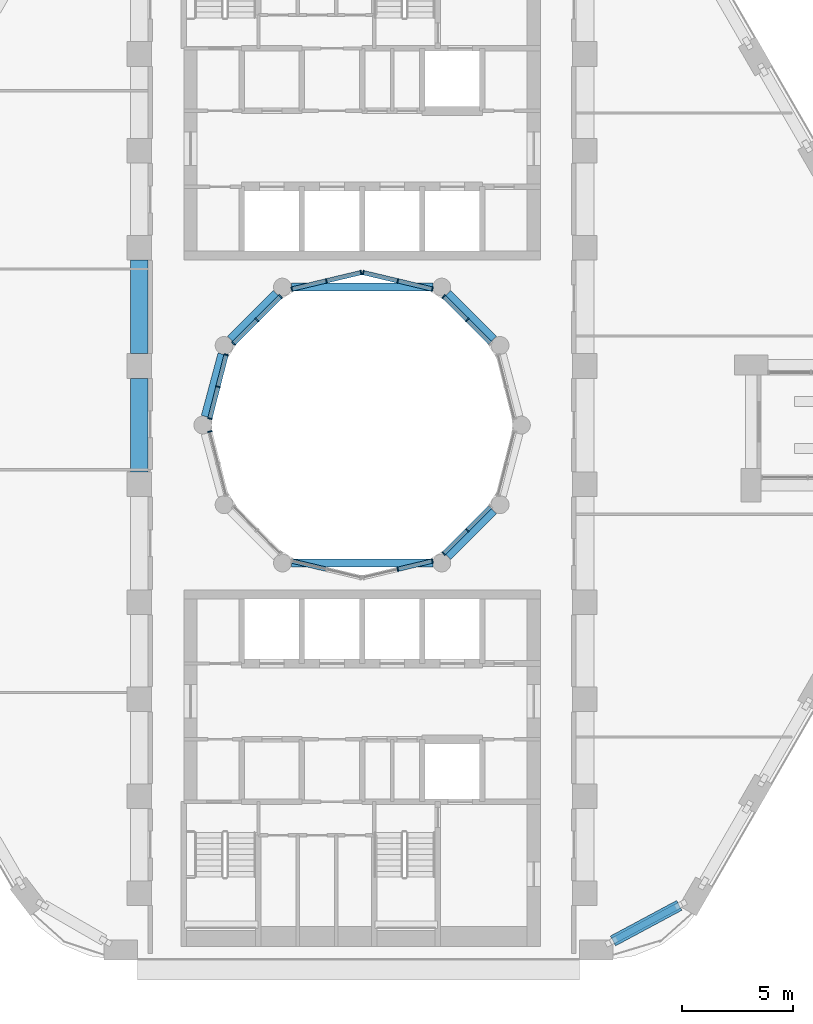
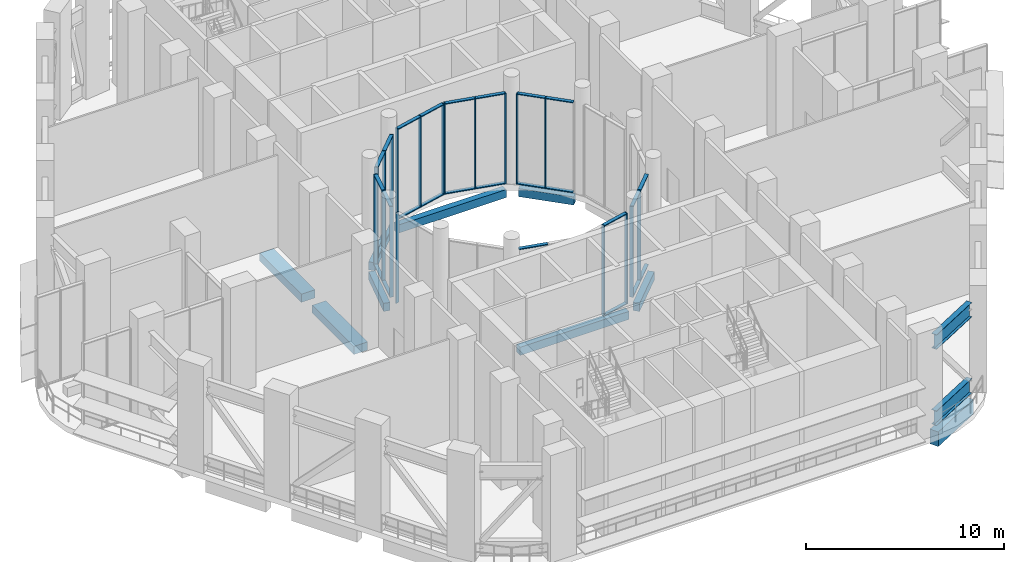
# One storey, part 3 of 20: 48 members, 9 beams, 9 elements without a shape of their own.
"""IFC4 building model written with IfcOpenShell, lengths in metres."""

from ifc_helpers import new_model, si_unit, direction, frame, origin, origin_2d, place, context, subcontext, project, spatial, rectangle, i_section, extrude, material, layer, layer_set, material_profile, profile_set, type_object, element, aggregate, save


model = new_model("IFC4")

# Units and contexts
model_context = context("Model", 3, precision=1e-05, world=origin(), true_north=direction((0.0, 1.0)))
body_context = subcontext(model_context, "Body", "Model", "MODEL_VIEW")
ifc_project = project(units=[si_unit("LENGTHUNIT", "METRE"), si_unit("AREAUNIT", "SQUARE_METRE"), si_unit("VOLUMEUNIT", "CUBIC_METRE"), si_unit("PLANEANGLEUNIT", "RADIAN"), si_unit("MASSUNIT", "GRAM", prefix="KILO")], contexts=[model_context])

# Site, building, storey
site_placement = place(None, origin())
site = spatial("IfcSite", under=ifc_project, at=site_placement, CompositionType="ELEMENT")
building_placement = place(site_placement, origin())
building = spatial("IfcBuilding", under=site, at=building_placement, Name="Nakaniwa Court", CompositionType="ELEMENT")
storey_placement = place(building_placement, frame((0.0, 0.0, 71.10009765625)))
storey = spatial("IfcBuildingStorey", under=building, at=storey_placement, Name="S1", CompositionType="ELEMENT", Elevation=71.10009765625)

# Curtain wall, members
ifc_material_1 = material(Name="Black anodised aluminium frame with dark low-E laminated double glazing", Category="aluminium")
ifc_layer = layer(ifc_material_1, 0.199951171875)
ifc_layer_set = layer_set([ifc_layer], Name="Black anodised aluminium frame with dark low-E laminated double glazing")
curtain_wall_type = type_object("IfcCurtainWallType", Name="Amenity and sky level curtain wall", PredefinedType="NOTDEFINED", material=ifc_layer_set)
curtain_wall_1_placement = place(storey_placement, origin())
curtain_wall_1 = element("IfcCurtainWall", 1, at=curtain_wall_1_placement, inside=storey, type_object=curtain_wall_type, Name="S1 curtain wall CW3 37", PredefinedType="NOTDEFINED")
ifc_material_2 = material(Name="Black anodised aluminium extrusion", Category="aluminium")
ifc_material_profile_1 = material_profile(ifc_material_2, rectangle(XDim=0.199951171875, YDim=0.054931640625, at=origin_2d()), Name="Amenity and sky level curtain wall mullion 55x200")
ifc_profile_set_1 = profile_set([ifc_material_profile_1], Name="Black anodised aluminium extrusion")
member_type_1 = type_object("IfcMemberType", Name="Amenity and sky level curtain wall mullion 55x200", PredefinedType="MULLION", material=ifc_profile_set_1)
member_1_placement = place(storey_placement, frame((84.715576171875, 75.284423828125, 0.0), z_axis=(0.0, 0.0, 1.0), x_axis=(0.707106781187, -0.707106781187, 0.0)))
member_1 = element("IfcMember", 2, at=member_1_placement, type_object=member_type_1, Name="CW3 mullion 2", PredefinedType="MULLION", context=body_context, shape_type="SweptSolid", body=[
    extrude(rectangle(XDim=0.199951171875, YDim=0.054931640625, at=origin_2d()), origin(), (0.0, 0.0, 1.0), 5.58984375),
])
member_2_placement = place(storey_placement, frame((83.66259765625, 74.2314453125, 0.0), z_axis=(0.0, 0.0, 1.0), x_axis=(0.707106781187, -0.707106781187, 0.0)))
member_2 = element("IfcMember", 3, at=member_2_placement, type_object=member_type_1, Name="CW3 mullion 3", PredefinedType="MULLION", context=body_context, shape_type="SweptSolid", body=[
    extrude(rectangle(XDim=0.199951171875, YDim=0.054931640625, at=origin_2d()), origin(), (0.0, 0.0, 1.0), 5.58984375),
])

curtain_wall_2_placement = place(storey_placement, origin())
curtain_wall_2 = element("IfcCurtainWall", 4, at=curtain_wall_2_placement, inside=storey, type_object=curtain_wall_type, Name="S1 curtain wall CW3 38", PredefinedType="NOTDEFINED")
member_3_placement = place(storey_placement, frame((83.153564453125, 73.898681640625, 0.0), z_axis=(0.0, 0.0, 1.0), x_axis=(0.231791306712, -0.972765537081, 0.0)))
member_3 = element("IfcMember", 5, at=member_3_placement, type_object=member_type_1, Name="CW3 mullion 1", PredefinedType="MULLION", context=body_context, shape_type="SweptSolid", body=[
    extrude(rectangle(XDim=0.199951171875, YDim=0.054931640625, at=origin_2d()), origin(), (0.0, 0.0, 1.0), 5.58984375),
])
member_4_placement = place(storey_placement, frame((81.601806640625, 73.52880859375, 0.0), z_axis=(0.0, 0.0, 1.0), x_axis=(0.231791306712, -0.972765537081, 0.0)))
member_4 = element("IfcMember", 6, at=member_4_placement, type_object=member_type_1, Name="CW3 mullion 2", PredefinedType="MULLION", context=body_context, shape_type="SweptSolid", body=[
    extrude(rectangle(XDim=0.199951171875, YDim=0.054931640625, at=origin_2d()), origin(), (0.0, 0.0, 1.0), 5.58984375),
])

# Curtain wall, member
curtain_wall_3_placement = place(storey_placement, origin())
curtain_wall_3 = element("IfcCurtainWall", 7, at=curtain_wall_3_placement, inside=storey, type_object=curtain_wall_type, Name="S1 curtain wall CW3 41", PredefinedType="NOTDEFINED")
member_5_placement = place(storey_placement, frame((73.170654296875, 79.70947265625, 0.0), z_axis=(0.0, 0.0, 1.0), x_axis=(-0.968986463302, -0.247113807661, 0.0)))
member_5 = element("IfcMember", 8, at=member_5_placement, type_object=member_type_1, Name="CW3 mullion 3", PredefinedType="MULLION", context=body_context, shape_type="SweptSolid", body=[
    extrude(rectangle(XDim=0.199951171875, YDim=0.054931640625, at=origin_2d()), origin(), (0.0, 0.0, 1.0), 5.58984375),
])
aggregate(curtain_wall_3, [member_5])

# Curtain wall, members
curtain_wall_4_placement = place(storey_placement, origin())
curtain_wall_4 = element("IfcCurtainWall", 9, at=curtain_wall_4_placement, inside=storey, type_object=curtain_wall_type, Name="S1 curtain wall CW3 42", PredefinedType="NOTDEFINED")
member_6_placement = place(storey_placement, frame((73.170654296875, 80.29052734375, 0.0), z_axis=(0.0, 0.0, 1.0), x_axis=(-0.968986463302, 0.247113807661, 0.0)))
member_6 = element("IfcMember", 10, at=member_6_placement, type_object=member_type_1, Name="CW3 mullion 1", PredefinedType="MULLION", context=body_context, shape_type="SweptSolid", body=[
    extrude(rectangle(XDim=0.199951171875, YDim=0.054931640625, at=origin_2d()), origin(), (0.0, 0.0, 1.0), 5.58984375),
])
member_7_placement = place(storey_placement, frame((73.53564453125, 81.72216796875, 0.0), z_axis=(0.0, 0.0, 1.0), x_axis=(-0.968986463302, 0.247113807661, 0.0)))
member_7 = element("IfcMember", 11, at=member_7_placement, type_object=member_type_1, Name="CW3 mullion 2", PredefinedType="MULLION", context=body_context, shape_type="SweptSolid", body=[
    extrude(rectangle(XDim=0.199951171875, YDim=0.054931640625, at=origin_2d()), origin(), (0.0, 0.0, 1.0), 5.58984375),
])
member_8_placement = place(storey_placement, frame((73.90087890625, 83.15380859375, 0.0), z_axis=(0.0, 0.0, 1.0), x_axis=(-0.968986463302, 0.247113807661, 0.0)))
member_8 = element("IfcMember", 12, at=member_8_placement, type_object=member_type_1, Name="CW3 mullion 3", PredefinedType="MULLION", context=body_context, shape_type="SweptSolid", body=[
    extrude(rectangle(XDim=0.199951171875, YDim=0.054931640625, at=origin_2d()), origin(), (0.0, 0.0, 1.0), 5.58984375),
])

curtain_wall_5_placement = place(storey_placement, origin())
curtain_wall_5 = element("IfcCurtainWall", 13, at=curtain_wall_5_placement, inside=storey, type_object=curtain_wall_type, Name="S1 curtain wall CW3 43", PredefinedType="NOTDEFINED")
member_9_placement = place(storey_placement, frame((74.2314453125, 83.66259765625, 0.0), z_axis=(0.0, 0.0, 1.0), x_axis=(-0.707106781187, 0.707106781187, 0.0)))
member_9 = element("IfcMember", 14, at=member_9_placement, type_object=member_type_1, Name="CW3 mullion 1", PredefinedType="MULLION", context=body_context, shape_type="SweptSolid", body=[
    extrude(rectangle(XDim=0.199951171875, YDim=0.054931640625, at=origin_2d()), origin(), (0.0, 0.0, 1.0), 5.58984375),
])
member_10_placement = place(storey_placement, frame((75.284423828125, 84.715576171875, 0.0), z_axis=(0.0, 0.0, 1.0), x_axis=(-0.707106781187, 0.707106781187, 0.0)))
member_10 = element("IfcMember", 15, at=member_10_placement, type_object=member_type_1, Name="CW3 mullion 2", PredefinedType="MULLION", context=body_context, shape_type="SweptSolid", body=[
    extrude(rectangle(XDim=0.199951171875, YDim=0.054931640625, at=origin_2d()), origin(), (0.0, 0.0, 1.0), 5.58984375),
])
member_11_placement = place(storey_placement, frame((76.33740234375, 85.7685546875, 0.0), z_axis=(0.0, 0.0, 1.0), x_axis=(-0.707106781187, 0.707106781187, 0.0)))
member_11 = element("IfcMember", 16, at=member_11_placement, type_object=member_type_1, Name="CW3 mullion 3", PredefinedType="MULLION", context=body_context, shape_type="SweptSolid", body=[
    extrude(rectangle(XDim=0.199951171875, YDim=0.054931640625, at=origin_2d()), origin(), (0.0, 0.0, 1.0), 5.58984375),
])

curtain_wall_6_placement = place(storey_placement, origin())
curtain_wall_6 = element("IfcCurtainWall", 17, at=curtain_wall_6_placement, inside=storey, type_object=curtain_wall_type, Name="S1 curtain wall CW3 44", PredefinedType="NOTDEFINED")
member_12_placement = place(storey_placement, frame((76.846435546875, 86.101318359375, 0.0), z_axis=(0.0, 0.0, 1.0), x_axis=(-0.231791306712, 0.972765537081, 0.0)))
member_12 = element("IfcMember", 18, at=member_12_placement, type_object=member_type_1, Name="CW3 mullion 1", PredefinedType="MULLION", context=body_context, shape_type="SweptSolid", body=[
    extrude(rectangle(XDim=0.199951171875, YDim=0.054931640625, at=origin_2d()), origin(), (0.0, 0.0, 1.0), 5.58984375),
])
member_13_placement = place(storey_placement, frame((78.398193359375, 86.47119140625, 0.0), z_axis=(0.0, 0.0, 1.0), x_axis=(-0.231791306712, 0.972765537081, 0.0)))
member_13 = element("IfcMember", 19, at=member_13_placement, type_object=member_type_1, Name="CW3 mullion 2", PredefinedType="MULLION", context=body_context, shape_type="SweptSolid", body=[
    extrude(rectangle(XDim=0.199951171875, YDim=0.054931640625, at=origin_2d()), origin(), (0.0, 0.0, 1.0), 5.58984375),
])
member_14_placement = place(storey_placement, frame((79.949951171875, 86.8408203125, 0.0), z_axis=(0.0, 0.0, 1.0), x_axis=(-0.231791306712, 0.972765537081, 0.0)))
member_14 = element("IfcMember", 20, at=member_14_placement, type_object=member_type_1, Name="CW3 mullion 3", PredefinedType="MULLION", context=body_context, shape_type="SweptSolid", body=[
    extrude(rectangle(XDim=0.199951171875, YDim=0.054931640625, at=origin_2d()), origin(), (0.0, 0.0, 1.0), 5.58984375),
])

curtain_wall_7_placement = place(storey_placement, origin())
curtain_wall_7 = element("IfcCurtainWall", 21, at=curtain_wall_7_placement, inside=storey, type_object=curtain_wall_type, Name="S1 curtain wall CW3 45", PredefinedType="NOTDEFINED")
member_15_placement = place(storey_placement, frame((80.050048828125, 86.8408203125, 0.0), z_axis=(0.0, 0.0, 1.0), x_axis=(0.231791306712, 0.972765537081, 0.0)))
member_15 = element("IfcMember", 22, at=member_15_placement, type_object=member_type_1, Name="CW3 mullion 1", PredefinedType="MULLION", context=body_context, shape_type="SweptSolid", body=[
    extrude(rectangle(XDim=0.199951171875, YDim=0.054931640625, at=origin_2d()), origin(), (0.0, 0.0, 1.0), 5.58984375),
])
member_16_placement = place(storey_placement, frame((81.601806640625, 86.47119140625, 0.0), z_axis=(0.0, 0.0, 1.0), x_axis=(0.231791306712, 0.972765537081, 0.0)))
member_16 = element("IfcMember", 23, at=member_16_placement, type_object=member_type_1, Name="CW3 mullion 2", PredefinedType="MULLION", context=body_context, shape_type="SweptSolid", body=[
    extrude(rectangle(XDim=0.199951171875, YDim=0.054931640625, at=origin_2d()), origin(), (0.0, 0.0, 1.0), 5.58984375),
])
member_17_placement = place(storey_placement, frame((83.153564453125, 86.101318359375, 0.0), z_axis=(0.0, 0.0, 1.0), x_axis=(0.231791306712, 0.972765537081, 0.0)))
member_17 = element("IfcMember", 24, at=member_17_placement, type_object=member_type_1, Name="CW3 mullion 3", PredefinedType="MULLION", context=body_context, shape_type="SweptSolid", body=[
    extrude(rectangle(XDim=0.199951171875, YDim=0.054931640625, at=origin_2d()), origin(), (0.0, 0.0, 1.0), 5.58984375),
])

curtain_wall_8_placement = place(storey_placement, origin())
curtain_wall_8 = element("IfcCurtainWall", 25, at=curtain_wall_8_placement, inside=storey, type_object=curtain_wall_type, Name="S1 curtain wall CW3 46", PredefinedType="NOTDEFINED")
member_18_placement = place(storey_placement, frame((83.66259765625, 85.7685546875, 0.0), z_axis=(0.0, 0.0, 1.0), x_axis=(0.707106781187, 0.707106781187, 0.0)))
member_18 = element("IfcMember", 26, at=member_18_placement, type_object=member_type_1, Name="CW3 mullion 1", PredefinedType="MULLION", context=body_context, shape_type="SweptSolid", body=[
    extrude(rectangle(XDim=0.199951171875, YDim=0.054931640625, at=origin_2d()), origin(), (0.0, 0.0, 1.0), 5.58984375),
])
member_19_placement = place(storey_placement, frame((84.715576171875, 84.715576171875, 0.0), z_axis=(0.0, 0.0, 1.0), x_axis=(0.707106781187, 0.707106781187, 0.0)))
member_19 = element("IfcMember", 27, at=member_19_placement, type_object=member_type_1, Name="CW3 mullion 2", PredefinedType="MULLION", context=body_context, shape_type="SweptSolid", body=[
    extrude(rectangle(XDim=0.199951171875, YDim=0.054931640625, at=origin_2d()), origin(), (0.0, 0.0, 1.0), 5.58984375),
])

# Member
ifc_material_profile_2 = material_profile(ifc_material_2, rectangle(XDim=0.199951171875, YDim=0.054931640625, at=origin_2d()), Name="Amenity and sky level curtain wall transom 55x200")
ifc_profile_set_2 = profile_set([ifc_material_profile_2], Name="Black anodised aluminium extrusion")
member_type_2 = type_object("IfcMemberType", Name="Amenity and sky level curtain wall transom 55x200", PredefinedType="USERDEFINED", material=ifc_profile_set_2)
member_20_placement = place(storey_placement, frame((85.7490234375, 76.31787109375, 0.02734375), z_axis=(-0.707106781187, -0.707106781187, 0.0), x_axis=(0.707106781187, -0.707106781187, 0.0)))
member_20 = element("IfcMember", 28, at=member_20_placement, type_object=member_type_2, Name="CW3 transom 1.1", ObjectType="TRANSOM", PredefinedType="USERDEFINED", context=body_context, shape_type="SweptSolid", body=[
    extrude(rectangle(XDim=0.199951171875, YDim=0.054931640625, at=origin_2d()), origin(), (0.0, 0.0, 1.0), 1.433837890625),
])

member_21_placement = place(storey_placement, frame((85.7490234375, 76.31787109375, 5.5625), z_axis=(-0.707106781187, -0.707106781187, 0.0), x_axis=(0.707106781187, -0.707106781187, 0.0)))
member_21 = element("IfcMember", 29, at=member_21_placement, type_object=member_type_2, Name="CW3 transom 1.2", ObjectType="TRANSOM", PredefinedType="USERDEFINED", context=body_context, shape_type="SweptSolid", body=[
    extrude(rectangle(XDim=0.199951171875, YDim=0.054931640625, at=origin_2d()), origin(), (0.0, 0.0, 1.0), 1.433837890625),
])

member_22_placement = place(storey_placement, frame((84.696044921875, 75.264892578125, 0.02734375), z_axis=(-0.707106781187, -0.707106781187, 0.0), x_axis=(0.707106781187, -0.707106781187, 0.0)))
member_22 = element("IfcMember", 30, at=member_22_placement, type_object=member_type_2, Name="CW3 transom 2.1", ObjectType="TRANSOM", PredefinedType="USERDEFINED", context=body_context, shape_type="SweptSolid", body=[
    extrude(rectangle(XDim=0.199951171875, YDim=0.054931640625, at=origin_2d()), origin(), (0.0, 0.0, 1.0), 1.433837890625),
])

member_23_placement = place(storey_placement, frame((84.696044921875, 75.264892578125, 5.5625), z_axis=(-0.707106781187, -0.707106781187, 0.0), x_axis=(0.707106781187, -0.707106781187, 0.0)))
member_23 = element("IfcMember", 31, at=member_23_placement, type_object=member_type_2, Name="CW3 transom 2.2", ObjectType="TRANSOM", PredefinedType="USERDEFINED", context=body_context, shape_type="SweptSolid", body=[
    extrude(rectangle(XDim=0.199951171875, YDim=0.054931640625, at=origin_2d()), origin(), (0.0, 0.0, 1.0), 1.433837890625),
])

aggregate(curtain_wall_1, [member_1, member_2, member_20, member_21, member_22, member_23])

member_24_placement = place(storey_placement, frame((83.126953125, 73.892333984375, 0.02734375), z_axis=(-0.972741550558, -0.231891948585, 0.0), x_axis=(0.231891948585, -0.972741550558, 0.0)))
member_24 = element("IfcMember", 32, at=member_24_placement, type_object=member_type_2, Name="CW3 transom 1.1", ObjectType="TRANSOM", PredefinedType="USERDEFINED", context=body_context, shape_type="SweptSolid", body=[
    extrude(rectangle(XDim=0.199951171875, YDim=0.054931640625, at=origin_2d()), origin(), (0.0, 0.0, 1.0), 1.540283203125),
])

member_25_placement = place(storey_placement, frame((83.126953125, 73.892333984375, 5.5625), z_axis=(-0.972741550558, -0.231891948585, 0.0), x_axis=(0.231891948585, -0.972741550558, 0.0)))
member_25 = element("IfcMember", 33, at=member_25_placement, type_object=member_type_2, Name="CW3 transom 1.2", ObjectType="TRANSOM", PredefinedType="USERDEFINED", context=body_context, shape_type="SweptSolid", body=[
    extrude(rectangle(XDim=0.199951171875, YDim=0.054931640625, at=origin_2d()), origin(), (0.0, 0.0, 1.0), 1.540283203125),
])

aggregate(curtain_wall_2, [member_3, member_4, member_24, member_25])

# Curtain wall, member
curtain_wall_9_placement = place(storey_placement, origin())
curtain_wall_9 = element("IfcCurtainWall", 34, at=curtain_wall_9_placement, inside=storey, type_object=curtain_wall_type, Name="S1 curtain wall CW3 39", PredefinedType="NOTDEFINED")
member_26_placement = place(storey_placement, frame((78.371337890625, 73.53515625, 5.5625), z_axis=(-0.972741550558, 0.231891948585, 0.0), x_axis=(-0.231891948585, -0.972741550558, 0.0)))
member_26 = element("IfcMember", 35, at=member_26_placement, type_object=member_type_2, Name="CW3 transom 2.2", ObjectType="TRANSOM", PredefinedType="USERDEFINED", context=body_context, shape_type="SweptSolid", body=[
    extrude(rectangle(XDim=0.199951171875, YDim=0.054931640625, at=origin_2d()), origin(), (0.0, 0.0, 1.0), 1.540283203125),
])
aggregate(curtain_wall_9, [member_26])

# Member
member_27_placement = place(storey_placement, frame((73.177490234375, 80.317138671875, 0.02734375), z_axis=(0.24697526524, 0.969021784255, 0.0), x_axis=(-0.969021784255, 0.24697526524, 0.0)))
member_27 = element("IfcMember", 36, at=member_27_placement, type_object=member_type_2, Name="CW3 transom 1.1", ObjectType="TRANSOM", PredefinedType="USERDEFINED", context=body_context, shape_type="SweptSolid", body=[
    extrude(rectangle(XDim=0.199951171875, YDim=0.054931640625, at=origin_2d()), origin(), (0.0, 0.0, 1.0), 1.42236328125),
])

member_28_placement = place(storey_placement, frame((73.177490234375, 80.317138671875, 5.5625), z_axis=(0.24697526524, 0.969021784255, 0.0), x_axis=(-0.969021784255, 0.24697526524, 0.0)))
member_28 = element("IfcMember", 37, at=member_28_placement, type_object=member_type_2, Name="CW3 transom 1.2", ObjectType="TRANSOM", PredefinedType="USERDEFINED", context=body_context, shape_type="SweptSolid", body=[
    extrude(rectangle(XDim=0.199951171875, YDim=0.054931640625, at=origin_2d()), origin(), (0.0, 0.0, 1.0), 1.42236328125),
])

member_29_placement = place(storey_placement, frame((73.54248046875, 81.748779296875, 0.02734375), z_axis=(0.247136415914, 0.968980697398, 0.0), x_axis=(-0.968980697398, 0.247136415914, 0.0)))
member_29 = element("IfcMember", 38, at=member_29_placement, type_object=member_type_2, Name="CW3 transom 2.1", ObjectType="TRANSOM", PredefinedType="USERDEFINED", context=body_context, shape_type="SweptSolid", body=[
    extrude(rectangle(XDim=0.199951171875, YDim=0.054931640625, at=origin_2d()), origin(), (0.0, 0.0, 1.0), 1.422607421875),
])

member_30_placement = place(storey_placement, frame((73.54248046875, 81.748779296875, 5.5625), z_axis=(0.247136415914, 0.968980697398, 0.0), x_axis=(-0.968980697398, 0.247136415914, 0.0)))
member_30 = element("IfcMember", 39, at=member_30_placement, type_object=member_type_2, Name="CW3 transom 2.2", ObjectType="TRANSOM", PredefinedType="USERDEFINED", context=body_context, shape_type="SweptSolid", body=[
    extrude(rectangle(XDim=0.199951171875, YDim=0.054931640625, at=origin_2d()), origin(), (0.0, 0.0, 1.0), 1.422607421875),
])

aggregate(curtain_wall_4, [member_6, member_7, member_8, member_27, member_28, member_29, member_30])

member_31_placement = place(storey_placement, frame((74.2509765625, 83.68212890625, 0.02734375), z_axis=(0.707106781187, 0.707106781187, 0.0), x_axis=(-0.707106781187, 0.707106781187, 0.0)))
member_31 = element("IfcMember", 40, at=member_31_placement, type_object=member_type_2, Name="CW3 transom 1.1", ObjectType="TRANSOM", PredefinedType="USERDEFINED", context=body_context, shape_type="SweptSolid", body=[
    extrude(rectangle(XDim=0.199951171875, YDim=0.054931640625, at=origin_2d()), origin(), (0.0, 0.0, 1.0), 1.433837890625),
])

member_32_placement = place(storey_placement, frame((74.2509765625, 83.68212890625, 5.5625), z_axis=(0.707106781187, 0.707106781187, 0.0), x_axis=(-0.707106781187, 0.707106781187, 0.0)))
member_32 = element("IfcMember", 41, at=member_32_placement, type_object=member_type_2, Name="CW3 transom 1.2", ObjectType="TRANSOM", PredefinedType="USERDEFINED", context=body_context, shape_type="SweptSolid", body=[
    extrude(rectangle(XDim=0.199951171875, YDim=0.054931640625, at=origin_2d()), origin(), (0.0, 0.0, 1.0), 1.433837890625),
])

member_33_placement = place(storey_placement, frame((75.303955078125, 84.735107421875, 0.02734375), z_axis=(0.707106781187, 0.707106781187, 0.0), x_axis=(-0.707106781187, 0.707106781187, 0.0)))
member_33 = element("IfcMember", 42, at=member_33_placement, type_object=member_type_2, Name="CW3 transom 2.1", ObjectType="TRANSOM", PredefinedType="USERDEFINED", context=body_context, shape_type="SweptSolid", body=[
    extrude(rectangle(XDim=0.199951171875, YDim=0.054931640625, at=origin_2d()), origin(), (0.0, 0.0, 1.0), 1.433837890625),
])

member_34_placement = place(storey_placement, frame((75.303955078125, 84.735107421875, 5.5625), z_axis=(0.707106781187, 0.707106781187, 0.0), x_axis=(-0.707106781187, 0.707106781187, 0.0)))
member_34 = element("IfcMember", 43, at=member_34_placement, type_object=member_type_2, Name="CW3 transom 2.2", ObjectType="TRANSOM", PredefinedType="USERDEFINED", context=body_context, shape_type="SweptSolid", body=[
    extrude(rectangle(XDim=0.199951171875, YDim=0.054931640625, at=origin_2d()), origin(), (0.0, 0.0, 1.0), 1.433837890625),
])

aggregate(curtain_wall_5, [member_9, member_10, member_11, member_31, member_32, member_33, member_34])

member_35_placement = place(storey_placement, frame((76.873046875, 86.107666015625, 0.02734375), z_axis=(0.972741550558, 0.231891948585, 0.0), x_axis=(-0.231891948585, 0.972741550558, 0.0)))
member_35 = element("IfcMember", 44, at=member_35_placement, type_object=member_type_2, Name="CW3 transom 1.1", ObjectType="TRANSOM", PredefinedType="USERDEFINED", context=body_context, shape_type="SweptSolid", body=[
    extrude(rectangle(XDim=0.199951171875, YDim=0.054931640625, at=origin_2d()), origin(), (0.0, 0.0, 1.0), 1.540283203125),
])

member_36_placement = place(storey_placement, frame((76.873046875, 86.107666015625, 5.5625), z_axis=(0.972741550558, 0.231891948585, 0.0), x_axis=(-0.231891948585, 0.972741550558, 0.0)))
member_36 = element("IfcMember", 45, at=member_36_placement, type_object=member_type_2, Name="CW3 transom 1.2", ObjectType="TRANSOM", PredefinedType="USERDEFINED", context=body_context, shape_type="SweptSolid", body=[
    extrude(rectangle(XDim=0.199951171875, YDim=0.054931640625, at=origin_2d()), origin(), (0.0, 0.0, 1.0), 1.540283203125),
])

member_37_placement = place(storey_placement, frame((78.425048828125, 86.4775390625, 0.02734375), z_axis=(0.972777294296, 0.231741959306, 0.0), x_axis=(-0.231741959306, 0.972777294296, 0.0)))
member_37 = element("IfcMember", 46, at=member_37_placement, type_object=member_type_2, Name="CW3 transom 2.1", ObjectType="TRANSOM", PredefinedType="USERDEFINED", context=body_context, shape_type="SweptSolid", body=[
    extrude(rectangle(XDim=0.199951171875, YDim=0.054931640625, at=origin_2d()), origin(), (0.0, 0.0, 1.0), 1.540283203125),
])

member_38_placement = place(storey_placement, frame((78.425048828125, 86.4775390625, 5.5625), z_axis=(0.972777294296, 0.231741959306, 0.0), x_axis=(-0.231741959306, 0.972777294296, 0.0)))
member_38 = element("IfcMember", 47, at=member_38_placement, type_object=member_type_2, Name="CW3 transom 2.2", ObjectType="TRANSOM", PredefinedType="USERDEFINED", context=body_context, shape_type="SweptSolid", body=[
    extrude(rectangle(XDim=0.199951171875, YDim=0.054931640625, at=origin_2d()), origin(), (0.0, 0.0, 1.0), 1.540283203125),
])

aggregate(curtain_wall_6, [member_12, member_13, member_14, member_35, member_36, member_37, member_38])

member_39_placement = place(storey_placement, frame((80.07666015625, 86.83447265625, 0.02734375), z_axis=(0.972777294296, -0.231741959306, 0.0), x_axis=(0.231741959306, 0.972777294296, 0.0)))
member_39 = element("IfcMember", 48, at=member_39_placement, type_object=member_type_2, Name="CW3 transom 1.1", ObjectType="TRANSOM", PredefinedType="USERDEFINED", context=body_context, shape_type="SweptSolid", body=[
    extrude(rectangle(XDim=0.199951171875, YDim=0.054931640625, at=origin_2d()), origin(), (0.0, 0.0, 1.0), 1.540283203125),
])

member_40_placement = place(storey_placement, frame((80.07666015625, 86.83447265625, 5.5625), z_axis=(0.972777294296, -0.231741959306, 0.0), x_axis=(0.231741959306, 0.972777294296, 0.0)))
member_40 = element("IfcMember", 49, at=member_40_placement, type_object=member_type_2, Name="CW3 transom 1.2", ObjectType="TRANSOM", PredefinedType="USERDEFINED", context=body_context, shape_type="SweptSolid", body=[
    extrude(rectangle(XDim=0.199951171875, YDim=0.054931640625, at=origin_2d()), origin(), (0.0, 0.0, 1.0), 1.540283203125),
])

member_41_placement = place(storey_placement, frame((81.628662109375, 86.46484375, 0.02734375), z_axis=(0.972741550558, -0.231891948585, 0.0), x_axis=(0.231891948585, 0.972741550558, 0.0)))
member_41 = element("IfcMember", 50, at=member_41_placement, type_object=member_type_2, Name="CW3 transom 2.1", ObjectType="TRANSOM", PredefinedType="USERDEFINED", context=body_context, shape_type="SweptSolid", body=[
    extrude(rectangle(XDim=0.199951171875, YDim=0.054931640625, at=origin_2d()), origin(), (0.0, 0.0, 1.0), 1.540283203125),
])

member_42_placement = place(storey_placement, frame((81.628662109375, 86.46484375, 5.5625), z_axis=(0.972741550558, -0.231891948585, 0.0), x_axis=(0.231891948585, 0.972741550558, 0.0)))
member_42 = element("IfcMember", 51, at=member_42_placement, type_object=member_type_2, Name="CW3 transom 2.2", ObjectType="TRANSOM", PredefinedType="USERDEFINED", context=body_context, shape_type="SweptSolid", body=[
    extrude(rectangle(XDim=0.199951171875, YDim=0.054931640625, at=origin_2d()), origin(), (0.0, 0.0, 1.0), 1.540283203125),
])

aggregate(curtain_wall_7, [member_15, member_16, member_17, member_39, member_40, member_41, member_42])

member_43_placement = place(storey_placement, frame((83.68212890625, 85.7490234375, 0.02734375), z_axis=(0.707106781187, -0.707106781187, 0.0), x_axis=(0.707106781187, 0.707106781187, 0.0)))
member_43 = element("IfcMember", 52, at=member_43_placement, type_object=member_type_2, Name="CW3 transom 1.1", ObjectType="TRANSOM", PredefinedType="USERDEFINED", context=body_context, shape_type="SweptSolid", body=[
    extrude(rectangle(XDim=0.199951171875, YDim=0.054931640625, at=origin_2d()), origin(), (0.0, 0.0, 1.0), 1.433837890625),
])

member_44_placement = place(storey_placement, frame((83.68212890625, 85.7490234375, 5.5625), z_axis=(0.707106781187, -0.707106781187, 0.0), x_axis=(0.707106781187, 0.707106781187, 0.0)))
member_44 = element("IfcMember", 53, at=member_44_placement, type_object=member_type_2, Name="CW3 transom 1.2", ObjectType="TRANSOM", PredefinedType="USERDEFINED", context=body_context, shape_type="SweptSolid", body=[
    extrude(rectangle(XDim=0.199951171875, YDim=0.054931640625, at=origin_2d()), origin(), (0.0, 0.0, 1.0), 1.433837890625),
])

member_45_placement = place(storey_placement, frame((84.735107421875, 84.696044921875, 0.02734375), z_axis=(0.707106781187, -0.707106781187, 0.0), x_axis=(0.707106781187, 0.707106781187, 0.0)))
member_45 = element("IfcMember", 54, at=member_45_placement, type_object=member_type_2, Name="CW3 transom 2.1", ObjectType="TRANSOM", PredefinedType="USERDEFINED", context=body_context, shape_type="SweptSolid", body=[
    extrude(rectangle(XDim=0.199951171875, YDim=0.054931640625, at=origin_2d()), origin(), (0.0, 0.0, 1.0), 1.433837890625),
])

member_46_placement = place(storey_placement, frame((84.735107421875, 84.696044921875, 5.5625), z_axis=(0.707106781187, -0.707106781187, 0.0), x_axis=(0.707106781187, 0.707106781187, 0.0)))
member_46 = element("IfcMember", 55, at=member_46_placement, type_object=member_type_2, Name="CW3 transom 2.2", ObjectType="TRANSOM", PredefinedType="USERDEFINED", context=body_context, shape_type="SweptSolid", body=[
    extrude(rectangle(XDim=0.199951171875, YDim=0.054931640625, at=origin_2d()), origin(), (0.0, 0.0, 1.0), 1.433837890625),
])

aggregate(curtain_wall_8, [member_18, member_19, member_43, member_44, member_45, member_46])

# Members
ifc_material_3 = material(Name="Steel Grade 350", Category="steel")
ifc_material_profile_3 = material_profile(ifc_material_3, i_section(OverallWidth=0.300048828125, OverallDepth=0.89990234375, WebThickness=0.011962890625, FlangeThickness=0.02001953125, at=origin_2d()), Name="900WB175")
ifc_profile_set_3 = profile_set([ifc_material_profile_3], Name="Steel Grade 350")
member_type_3 = type_object("IfcMemberType", Name="BELT chord 900 WB175", PredefinedType="CHORD", material=ifc_profile_set_3)
for number, where, z_axis, x_axis, name in (
    (56, (91.257080078125, 56.852294921875, 0.449951171875), (0.881234537383, 0.472679267711, 0.0), (-0.472679267711, 0.881234537383, 0.0), "BELT CHORD BT-12-B"),
    (57, (91.257080078125, 56.852294921875, 5.139892578125), (0.881234537383, 0.472679267711, 0.0), (-0.472679267711, 0.881234537383, 0.0), "BELT CHORD BT-12-T"),
):
    element("IfcMember", number, at=place(storey_placement, frame(where, z_axis=z_axis, x_axis=x_axis)), inside=storey, type_object=member_type_3, Name=name, PredefinedType="CHORD", context=body_context, shape_type="SweptSolid", body=[
        extrude(i_section(OverallWidth=0.300048828125, OverallDepth=0.89990234375, WebThickness=0.011962890625, FlangeThickness=0.02001953125, at=origin_2d()), origin(), (0.0, 0.0, 1.0), 3.373291015625),
    ])

# Beams
ifc_material_4 = material(Name="Concrete C80/100", Category="concrete")
ifc_material_profile_4 = material_profile(ifc_material_4, rectangle(XDim=0.35009765625, YDim=0.5, at=origin_2d()), Name="Concrete C80/100 RC 350x500 ring beam")
ifc_profile_set_4 = profile_set([ifc_material_profile_4], Name="Concrete C80/100")
beam_type_1 = type_object("IfcBeamType", Name="Concrete C80/100 RC 350x500 ring beam", PredefinedType="BEAM", material=ifc_profile_set_4)
beam_1_placement = place(storey_placement, frame((85.9091796875, 83.85791015625, -0.60009765625), z_axis=(-0.707106781187, 0.707106781187, 0.0), x_axis=(-0.707106781187, -0.707106781187, 0.0)))
element("IfcBeam", 58, at=beam_1_placement, inside=storey, type_object=beam_type_1, Name="RING BEAM", PredefinedType="BEAM", context=body_context, shape_type="SweptSolid", body=[
    extrude(rectangle(XDim=0.35009765625, YDim=0.5, at=origin_2d()), origin(), (0.0, 0.0, 1.0), 2.90087890625),
])
beam_2_placement = place(storey_placement, frame((83.175048828125, 86.192138671875, -0.60009765625), z_axis=(-1.0, 0.0, 0.0), x_axis=(0.0, -1.0, 0.0)))
element("IfcBeam", 59, at=beam_2_placement, inside=storey, type_object=beam_type_1, Name="RING BEAM", PredefinedType="BEAM", context=body_context, shape_type="SweptSolid", body=[
    extrude(rectangle(XDim=0.35009765625, YDim=0.5, at=origin_2d()), origin(), (0.0, 0.0, 1.0), 6.35009765625),
])
beam_3_placement = place(storey_placement, frame((76.14208984375, 85.9091796875, -0.60009765625), z_axis=(-0.707106781187, -0.707106781187, 0.0), x_axis=(0.707106781187, -0.707106781187, 0.0)))
element("IfcBeam", 60, at=beam_3_placement, inside=storey, type_object=beam_type_1, Name="RING BEAM", PredefinedType="BEAM", context=body_context, shape_type="SweptSolid", body=[
    extrude(rectangle(XDim=0.35009765625, YDim=0.5, at=origin_2d()), origin(), (0.0, 0.0, 1.0), 2.90087890625),
])
beam_4_placement = place(storey_placement, frame((73.704345703125, 83.188720703125, -0.60009765625), z_axis=(-0.258778150207, -0.965936783115, 0.0), x_axis=(0.965936783115, -0.258778150207, 0.0)))
element("IfcBeam", 61, at=beam_4_placement, inside=storey, type_object=beam_type_1, Name="RING BEAM", PredefinedType="BEAM", context=body_context, shape_type="SweptSolid", body=[
    extrude(rectangle(XDim=0.35009765625, YDim=0.5, at=origin_2d()), origin(), (0.0, 0.0, 1.0), 2.901123046875),
])
beam_5_placement = place(storey_placement, frame((76.824951171875, 73.807861328125, -0.60009765625), z_axis=(1.0, 0.0, 0.0), x_axis=(0.0, 1.0, 0.0)))
element("IfcBeam", 62, at=beam_5_placement, inside=storey, type_object=beam_type_1, Name="RING BEAM", PredefinedType="BEAM", context=body_context, shape_type="SweptSolid", body=[
    extrude(rectangle(XDim=0.35009765625, YDim=0.5, at=origin_2d()), origin(), (0.0, 0.0, 1.0), 6.35009765625),
])
beam_6_placement = place(storey_placement, frame((83.85791015625, 74.0908203125, -0.60009765625), z_axis=(0.707106781187, 0.707106781187, 0.0), x_axis=(-0.707106781187, 0.707106781187, 0.0)))
element("IfcBeam", 63, at=beam_6_placement, inside=storey, type_object=beam_type_1, Name="RING BEAM", PredefinedType="BEAM", context=body_context, shape_type="SweptSolid", body=[
    extrude(rectangle(XDim=0.35009765625, YDim=0.5, at=origin_2d()), origin(), (0.0, 0.0, 1.0), 2.90087890625),
])
ifc_material_profile_5 = material_profile(ifc_material_4, rectangle(XDim=0.5, YDim=0.89990234375, at=origin_2d()), Name="Concrete C80/100 RC 500x900 spandrel beam")
ifc_profile_set_5 = profile_set([ifc_material_profile_5], Name="Concrete C80/100")
beam_type_2 = type_object("IfcBeamType", Name="Concrete C80/100 RC 500x900 spandrel beam", PredefinedType="BEAM", material=ifc_profile_set_5)
beam_7_placement = place(storey_placement, frame((91.257080078125, 56.852294921875, -0.800048828125), z_axis=(0.881234537383, 0.472679267711, 0.0), x_axis=(-0.472679267711, 0.881234537383, 0.0)))
element("IfcBeam", 64, at=beam_7_placement, inside=storey, type_object=beam_type_2, Name="SPANDREL BEAM", PredefinedType="BEAM", context=body_context, shape_type="SweptSolid", body=[
    extrude(rectangle(XDim=0.5, YDim=0.89990234375, at=origin_2d()), origin(), (0.0, 0.0, 1.0), 3.373291015625),
])
ifc_material_profile_6 = material_profile(ifc_material_4, rectangle(XDim=0.800048828125, YDim=0.5, at=origin_2d()), Name="Concrete C80/100 RC 800x500 ring beam")
ifc_profile_set_6 = profile_set([ifc_material_profile_6], Name="Concrete C80/100")
beam_type_3 = type_object("IfcBeamType", Name="Concrete C80/100 RC 800x500 ring beam", PredefinedType="BEAM", material=ifc_profile_set_6)
beam_8_placement = place(storey_placement, frame((70.0, 87.39990234375, -0.60009765625), z_axis=(0.0, -1.0, 0.0), x_axis=(1.0, 0.0, 0.0)))
element("IfcBeam", 65, at=beam_8_placement, inside=storey, type_object=beam_type_3, Name="RING BEAM", PredefinedType="BEAM", context=body_context, shape_type="SweptSolid", body=[
    extrude(rectangle(XDim=0.800048828125, YDim=0.5, at=origin_2d()), origin(), (0.0, 0.0, 1.0), 4.199951171875),
])
beam_9_placement = place(storey_placement, frame((70.0, 82.10009765625, -0.60009765625), z_axis=(0.0, -1.0, 0.0), x_axis=(1.0, 0.0, 0.0)))
element("IfcBeam", 66, at=beam_9_placement, inside=storey, type_object=beam_type_3, Name="RING BEAM", PredefinedType="BEAM", context=body_context, shape_type="SweptSolid", body=[
    extrude(rectangle(XDim=0.800048828125, YDim=0.5, at=origin_2d()), origin(), (0.0, 0.0, 1.0), 4.2001953125),
])

save(model, "model.ifc")
